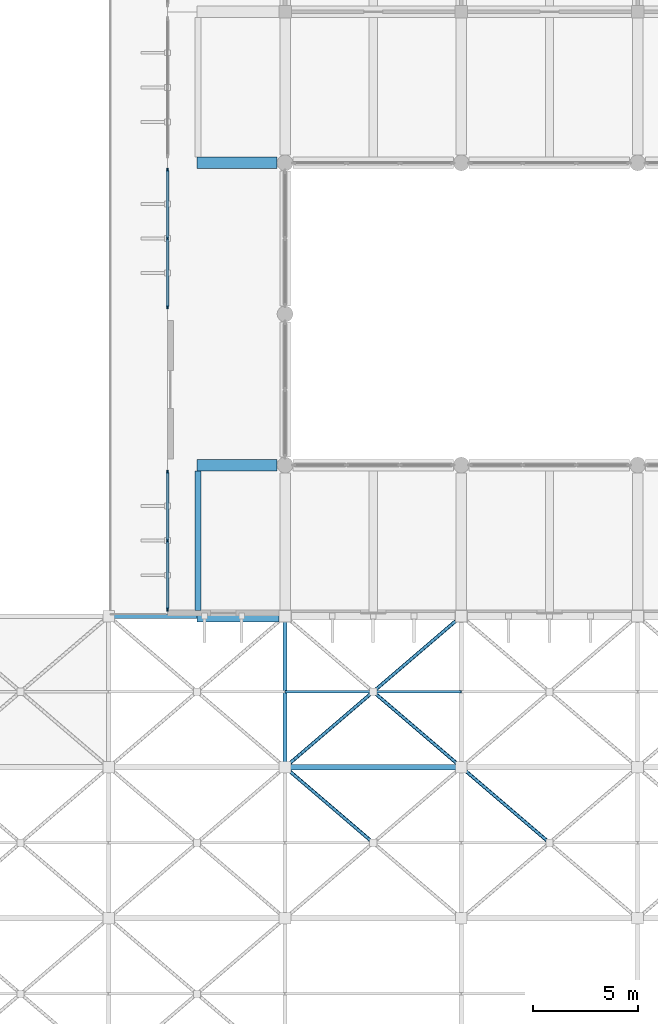
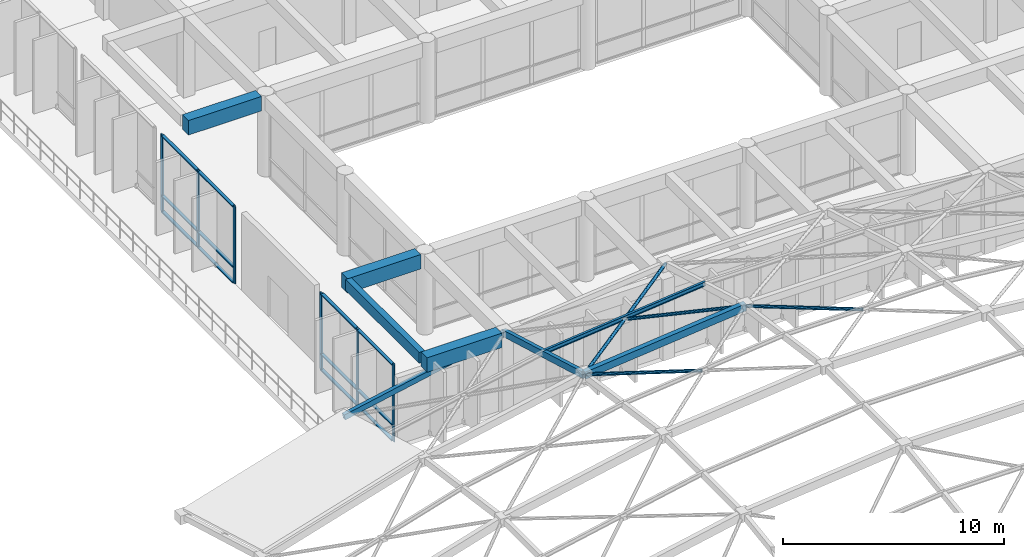
# One storey, part 4 of 23: 26 members, 4 beams, 2 elements without a shape of their own.
"""IFC4 building model written with IfcOpenShell, lengths in metres."""

from ifc_helpers import new_model, si_unit, direction, frame, origin, origin_2d, place, context, subcontext, project, spatial, rectangle, hollow_rectangle, hollow_circle, i_section, extrude, material, material_profile, profile_set, type_object, element, aggregate, save


model = new_model("IFC4")

# Units and contexts
model_context = context("Model", 3, precision=1e-05, world=origin(), true_north=direction((0.0, 1.0)))
body_context = subcontext(model_context, "Body", "Model", "MODEL_VIEW")
ifc_project = project(units=[si_unit("LENGTHUNIT", "METRE"), si_unit("AREAUNIT", "SQUARE_METRE"), si_unit("VOLUMEUNIT", "CUBIC_METRE"), si_unit("PLANEANGLEUNIT", "RADIAN"), si_unit("MASSUNIT", "GRAM", prefix="KILO")], contexts=[model_context])

# Site, building, storey
site_placement = place(None, origin())
site = spatial("IfcSite", under=ifc_project, at=site_placement, CompositionType="ELEMENT")
building_placement = place(site_placement, origin())
building = spatial("IfcBuilding", under=site, at=building_placement, Name="Kenerak Square Central Library", CompositionType="ELEMENT")
storey_placement = place(building_placement, frame((0.0, 0.0, 18.8798828125)))
storey = spatial("IfcBuildingStorey", under=building, at=storey_placement, Name="L04", CompositionType="ELEMENT", Elevation=18.8798828125)

# Beam
ifc_material_1 = material(Name="Concrete C40/50", Category="concrete")
ifc_material_profile_1 = material_profile(ifc_material_1, rectangle(XDim=0.300048828125, YDim=0.60009765625, at=origin_2d()), Name="RC 300x600")
ifc_profile_set_1 = profile_set([ifc_material_profile_1], Name="Concrete C40/50")
beam_type_1 = type_object("IfcBeamType", Name="Courtyard Spandrel Beam SP-02 RC 300x600 C40/50", PredefinedType="SPANDREL", material=ifc_profile_set_1)
beam_1_placement = place(storey_placement, frame((71.050048828125, 53.074951171875, 4.18017578125), z_axis=(0.0, 1.0, 0.0), x_axis=(-1.0, 0.0, 0.0)))
element("IfcBeam", 1, at=beam_1_placement, inside=storey, type_object=beam_type_1, Name="Terrace Edge Spandrel SP-02 L04 SBW-53", PredefinedType="SPANDREL", context=body_context, shape_type="SweptSolid", body=[
    extrude(rectangle(XDim=0.300048828125, YDim=0.60009765625, at=origin_2d()), origin(), (0.0, 0.0, 1.0), 6.650146484375),
])

# Curtain wall, members
ifc_material_2 = material(Name="Anodised aluminium and solar-control low-E glazing", Category="aluminium")
curtain_wall_type = type_object("IfcCurtainWallType", Name="Curtain Wall CW-V4-66x42 6600x4255", PredefinedType="USERDEFINED", material=ifc_material_2)
curtain_wall_1_placement = place(storey_placement, origin())
curtain_wall_1 = element("IfcCurtainWall", 2, at=curtain_wall_1_placement, inside=storey, type_object=curtain_wall_type, Name="Curtain Wall CW-V4-66x42 L04 0143", ObjectType="CURTAIN WALL", PredefinedType="USERDEFINED")
ifc_material_3 = material(Name="Anodised aluminium 6063-T6", Category="aluminium")
ifc_material_profile_2 = material_profile(ifc_material_3, rectangle(XDim=0.06494140625, YDim=0.179931640625, at=origin_2d()), Name="AL MULLION 65x180")
ifc_profile_set_2 = profile_set([ifc_material_profile_2], Name="Anodised aluminium 6063-T6")
member_type_1 = type_object("IfcMemberType", Name="Curtain Mullion CM-01 65x180", PredefinedType="MULLION", material=ifc_profile_set_2)
member_1_placement = place(storey_placement, frame((69.60009765625, 53.132568359375, 0.0), z_axis=(0.0, 0.0, 1.0), x_axis=(-1.0, 0.0, 0.0)))
member_1 = element("IfcMember", 3, at=member_1_placement, type_object=member_type_1, Name="CW-V4-66x42 Mullion 1", PredefinedType="MULLION", context=body_context, shape_type="SweptSolid", body=[
    extrude(rectangle(XDim=0.06494140625, YDim=0.179931640625, at=origin_2d()), origin(), (0.0, 0.0, 1.0), 4.255126953125),
])
member_2_placement = place(storey_placement, frame((69.60009765625, 56.39990234375, 0.0), z_axis=(0.0, 0.0, 1.0), x_axis=(-1.0, 0.0, 0.0)))
member_2 = element("IfcMember", 4, at=member_2_placement, type_object=member_type_1, Name="CW-V4-66x42 Mullion 2", PredefinedType="MULLION", context=body_context, shape_type="SweptSolid", body=[
    extrude(rectangle(XDim=0.06494140625, YDim=0.179931640625, at=origin_2d()), origin(), (0.0, 0.0, 1.0), 4.255126953125),
])
member_3_placement = place(storey_placement, frame((69.60009765625, 59.66748046875, 0.0), z_axis=(0.0, 0.0, 1.0), x_axis=(-1.0, 0.0, 0.0)))
member_3 = element("IfcMember", 5, at=member_3_placement, type_object=member_type_1, Name="CW-V4-66x42 Mullion 3", PredefinedType="MULLION", context=body_context, shape_type="SweptSolid", body=[
    extrude(rectangle(XDim=0.06494140625, YDim=0.179931640625, at=origin_2d()), origin(), (0.0, 0.0, 1.0), 4.255126953125),
])

curtain_wall_2_placement = place(storey_placement, origin())
curtain_wall_2 = element("IfcCurtainWall", 6, at=curtain_wall_2_placement, inside=storey, type_object=curtain_wall_type, Name="Curtain Wall CW-V4-66x42 L04 0144", ObjectType="CURTAIN WALL", PredefinedType="USERDEFINED")
member_4_placement = place(storey_placement, frame((69.60009765625, 67.532470703125, 0.0), z_axis=(0.0, 0.0, 1.0), x_axis=(-1.0, 0.0, 0.0)))
member_4 = element("IfcMember", 7, at=member_4_placement, type_object=member_type_1, Name="CW-V4-66x42 Mullion 1", PredefinedType="MULLION", context=body_context, shape_type="SweptSolid", body=[
    extrude(rectangle(XDim=0.06494140625, YDim=0.179931640625, at=origin_2d()), origin(), (0.0, 0.0, 1.0), 4.255126953125),
])
member_5_placement = place(storey_placement, frame((69.60009765625, 70.800048828125, 0.0), z_axis=(0.0, 0.0, 1.0), x_axis=(-1.0, 0.0, 0.0)))
member_5 = element("IfcMember", 8, at=member_5_placement, type_object=member_type_1, Name="CW-V4-66x42 Mullion 2", PredefinedType="MULLION", context=body_context, shape_type="SweptSolid", body=[
    extrude(rectangle(XDim=0.06494140625, YDim=0.179931640625, at=origin_2d()), origin(), (0.0, 0.0, 1.0), 4.255126953125),
])
member_6_placement = place(storey_placement, frame((69.60009765625, 74.0673828125, 0.0), z_axis=(0.0, 0.0, 1.0), x_axis=(-1.0, 0.0, 0.0)))
member_6 = element("IfcMember", 9, at=member_6_placement, type_object=member_type_1, Name="CW-V4-66x42 Mullion 3", PredefinedType="MULLION", context=body_context, shape_type="SweptSolid", body=[
    extrude(rectangle(XDim=0.06494140625, YDim=0.179931640625, at=origin_2d()), origin(), (0.0, 0.0, 1.0), 4.255126953125),
])

# Member
ifc_material_profile_3 = material_profile(ifc_material_3, rectangle(XDim=0.159912109375, YDim=0.06494140625, at=origin_2d()), Name="AL TRANSOM 160x65")
ifc_profile_set_3 = profile_set([ifc_material_profile_3], Name="Anodised aluminium 6063-T6")
member_type_2 = type_object("IfcMemberType", Name="Curtain Transom CT-11 160x65", PredefinedType="USERDEFINED", material=ifc_profile_set_3)
member_7_placement = place(storey_placement, frame((69.60009765625, 53.1650390625, 0.03271484375), z_axis=(0.0, 1.0, 0.0), x_axis=(-1.0, 0.0, 0.0)))
member_7 = element("IfcMember", 10, at=member_7_placement, type_object=member_type_2, Name="CW-V4-66x42 Transom 1.1", ObjectType="TRANSOM", PredefinedType="USERDEFINED", context=body_context, shape_type="SweptSolid", body=[
    extrude(rectangle(XDim=0.159912109375, YDim=0.06494140625, at=origin_2d()), origin(), (0.0, 0.0, 1.0), 3.202392578125),
])

member_8_placement = place(storey_placement, frame((69.60009765625, 53.1650390625, 0.900146484375), z_axis=(0.0, 1.0, 0.0), x_axis=(-1.0, 0.0, 0.0)))
member_8 = element("IfcMember", 11, at=member_8_placement, type_object=member_type_2, Name="CW-V4-66x42 Transom 1.2", ObjectType="TRANSOM", PredefinedType="USERDEFINED", context=body_context, shape_type="SweptSolid", body=[
    extrude(rectangle(XDim=0.159912109375, YDim=0.06494140625, at=origin_2d()), origin(), (0.0, 0.0, 1.0), 3.202392578125),
])

member_9_placement = place(storey_placement, frame((69.60009765625, 53.1650390625, 4.22265625), z_axis=(0.0, 1.0, 0.0), x_axis=(-1.0, 0.0, 0.0)))
member_9 = element("IfcMember", 12, at=member_9_placement, type_object=member_type_2, Name="CW-V4-66x42 Transom 1.3", ObjectType="TRANSOM", PredefinedType="USERDEFINED", context=body_context, shape_type="SweptSolid", body=[
    extrude(rectangle(XDim=0.159912109375, YDim=0.06494140625, at=origin_2d()), origin(), (0.0, 0.0, 1.0), 3.202392578125),
])

member_10_placement = place(storey_placement, frame((69.60009765625, 56.4326171875, 0.03271484375), z_axis=(0.0, 1.0, 0.0), x_axis=(-1.0, 0.0, 0.0)))
member_10 = element("IfcMember", 13, at=member_10_placement, type_object=member_type_2, Name="CW-V4-66x42 Transom 2.1", ObjectType="TRANSOM", PredefinedType="USERDEFINED", context=body_context, shape_type="SweptSolid", body=[
    extrude(rectangle(XDim=0.159912109375, YDim=0.06494140625, at=origin_2d()), origin(), (0.0, 0.0, 1.0), 3.202392578125),
])

member_11_placement = place(storey_placement, frame((69.60009765625, 56.4326171875, 0.900146484375), z_axis=(0.0, 1.0, 0.0), x_axis=(-1.0, 0.0, 0.0)))
member_11 = element("IfcMember", 14, at=member_11_placement, type_object=member_type_2, Name="CW-V4-66x42 Transom 2.2", ObjectType="TRANSOM", PredefinedType="USERDEFINED", context=body_context, shape_type="SweptSolid", body=[
    extrude(rectangle(XDim=0.159912109375, YDim=0.06494140625, at=origin_2d()), origin(), (0.0, 0.0, 1.0), 3.202392578125),
])

member_12_placement = place(storey_placement, frame((69.60009765625, 56.4326171875, 4.22265625), z_axis=(0.0, 1.0, 0.0), x_axis=(-1.0, 0.0, 0.0)))
member_12 = element("IfcMember", 15, at=member_12_placement, type_object=member_type_2, Name="CW-V4-66x42 Transom 2.3", ObjectType="TRANSOM", PredefinedType="USERDEFINED", context=body_context, shape_type="SweptSolid", body=[
    extrude(rectangle(XDim=0.159912109375, YDim=0.06494140625, at=origin_2d()), origin(), (0.0, 0.0, 1.0), 3.202392578125),
])

aggregate(curtain_wall_1, [member_1, member_2, member_3, member_7, member_8, member_9, member_10, member_11, member_12])

member_13_placement = place(storey_placement, frame((69.60009765625, 67.56494140625, 0.03271484375), z_axis=(0.0, 1.0, 0.0), x_axis=(-1.0, 0.0, 0.0)))
member_13 = element("IfcMember", 16, at=member_13_placement, type_object=member_type_2, Name="CW-V4-66x42 Transom 1.1", ObjectType="TRANSOM", PredefinedType="USERDEFINED", context=body_context, shape_type="SweptSolid", body=[
    extrude(rectangle(XDim=0.159912109375, YDim=0.06494140625, at=origin_2d()), origin(), (0.0, 0.0, 1.0), 3.20263671875),
])

member_14_placement = place(storey_placement, frame((69.60009765625, 67.56494140625, 0.900146484375), z_axis=(0.0, 1.0, 0.0), x_axis=(-1.0, 0.0, 0.0)))
member_14 = element("IfcMember", 17, at=member_14_placement, type_object=member_type_2, Name="CW-V4-66x42 Transom 1.2", ObjectType="TRANSOM", PredefinedType="USERDEFINED", context=body_context, shape_type="SweptSolid", body=[
    extrude(rectangle(XDim=0.159912109375, YDim=0.06494140625, at=origin_2d()), origin(), (0.0, 0.0, 1.0), 3.20263671875),
])

member_15_placement = place(storey_placement, frame((69.60009765625, 67.56494140625, 4.22265625), z_axis=(0.0, 1.0, 0.0), x_axis=(-1.0, 0.0, 0.0)))
member_15 = element("IfcMember", 18, at=member_15_placement, type_object=member_type_2, Name="CW-V4-66x42 Transom 1.3", ObjectType="TRANSOM", PredefinedType="USERDEFINED", context=body_context, shape_type="SweptSolid", body=[
    extrude(rectangle(XDim=0.159912109375, YDim=0.06494140625, at=origin_2d()), origin(), (0.0, 0.0, 1.0), 3.20263671875),
])

member_16_placement = place(storey_placement, frame((69.60009765625, 70.83251953125, 0.03271484375), z_axis=(0.0, 1.0, 0.0), x_axis=(-1.0, 0.0, 0.0)))
member_16 = element("IfcMember", 19, at=member_16_placement, type_object=member_type_2, Name="CW-V4-66x42 Transom 2.1", ObjectType="TRANSOM", PredefinedType="USERDEFINED", context=body_context, shape_type="SweptSolid", body=[
    extrude(rectangle(XDim=0.159912109375, YDim=0.06494140625, at=origin_2d()), origin(), (0.0, 0.0, 1.0), 3.202392578125),
])

member_17_placement = place(storey_placement, frame((69.60009765625, 70.83251953125, 0.900146484375), z_axis=(0.0, 1.0, 0.0), x_axis=(-1.0, 0.0, 0.0)))
member_17 = element("IfcMember", 20, at=member_17_placement, type_object=member_type_2, Name="CW-V4-66x42 Transom 2.2", ObjectType="TRANSOM", PredefinedType="USERDEFINED", context=body_context, shape_type="SweptSolid", body=[
    extrude(rectangle(XDim=0.159912109375, YDim=0.06494140625, at=origin_2d()), origin(), (0.0, 0.0, 1.0), 3.202392578125),
])

member_18_placement = place(storey_placement, frame((69.60009765625, 70.83251953125, 4.22265625), z_axis=(0.0, 1.0, 0.0), x_axis=(-1.0, 0.0, 0.0)))
member_18 = element("IfcMember", 21, at=member_18_placement, type_object=member_type_2, Name="CW-V4-66x42 Transom 2.3", ObjectType="TRANSOM", PredefinedType="USERDEFINED", context=body_context, shape_type="SweptSolid", body=[
    extrude(rectangle(XDim=0.159912109375, YDim=0.06494140625, at=origin_2d()), origin(), (0.0, 0.0, 1.0), 3.202392578125),
])

aggregate(curtain_wall_2, [member_4, member_5, member_6, member_13, member_14, member_15, member_16, member_17, member_18])

# Members
ifc_material_4 = material(Name="Steel S355", Category="steel")
ifc_material_profile_4 = material_profile(ifc_material_4, hollow_rectangle(XDim=0.25, YDim=0.39990234375, WallThickness=0.012451171875, at=origin_2d()), Name="RHS 400x250x12.5")
ifc_profile_set_4 = profile_set([ifc_material_profile_4], Name="Steel S355")
member_type_3 = type_object("IfcMemberType", Name="Gridshell Arch Rib GM-02 RHS 400x250x12.5 S355", PredefinedType="CHORD", material=ifc_profile_set_4)
member_19_placement = place(storey_placement, frame((75.199951171875, 45.60009765625, 6.29296875), z_axis=(0.994929826536, 0.0, 0.100571567899), x_axis=(0.0, 1.0, 0.0)))
element("IfcMember", 22, at=member_19_placement, inside=storey, type_object=member_type_3, Name="Gridshell Arch Chord 0031", PredefinedType="CHORD", context=body_context, shape_type="SweptSolid", body=[
    extrude(hollow_rectangle(XDim=0.25, YDim=0.39990234375, WallThickness=0.012451171875, at=origin_2d()), origin(), (0.0, 0.0, 1.0), 8.44287109375),
])
ifc_material_profile_5 = material_profile(ifc_material_4, hollow_rectangle(XDim=0.199951171875, YDim=0.35009765625, WallThickness=0.012451171875, at=origin_2d()), Name="RHS 350x200x12.5")
ifc_profile_set_5 = profile_set([ifc_material_profile_5], Name="Steel S355")
member_type_4 = type_object("IfcMemberType", Name="Gridshell Cross Rib GM-03 RHS 350x200x12.5 S355", PredefinedType="RAFTER", material=ifc_profile_set_5)
member_20_placement = place(storey_placement, frame((75.199951171875, 45.60009765625, 6.29296875), z_axis=(0.0, 0.96185064623, -0.273575098185), x_axis=(-1.0, 0.0, 0.0)))
element("IfcMember", 23, at=member_20_placement, inside=storey, type_object=member_type_4, Name="Gridshell Cross Rib 0057", PredefinedType="RAFTER", context=body_context, shape_type="SweptSolid", body=[
    extrude(hollow_rectangle(XDim=0.199951171875, YDim=0.35009765625, WallThickness=0.012451171875, at=origin_2d()), origin(), (0.0, 0.0, 1.0), 7.485595703125),
])
ifc_material_profile_6 = material_profile(ifc_material_4, hollow_rectangle(XDim=0.199951171875, YDim=0.300048828125, WallThickness=0.010009765625, at=origin_2d()), Name="RHS 300x200x10.0")
ifc_profile_set_6 = profile_set([ifc_material_profile_6], Name="Steel S355")
member_type_5 = type_object("IfcMemberType", Name="Gridshell Edge Rib GM-04 RHS 300x200x10 S355", PredefinedType="RAFTER", material=ifc_profile_set_6)
member_21_placement = place(storey_placement, frame((66.800048828125, 52.800048828125, 2.547119140625), z_axis=(0.980174274695, 0.0, 0.198137303973), x_axis=(0.0, 1.0, 0.0)))
element("IfcMember", 24, at=member_21_placement, inside=storey, type_object=member_type_5, Name="Gridshell Arch Chord 0037", PredefinedType="RAFTER", context=body_context, shape_type="SweptSolid", body=[
    extrude(hollow_rectangle(XDim=0.199951171875, YDim=0.300048828125, WallThickness=0.010009765625, at=origin_2d()), origin(), (0.0, 0.0, 1.0), 8.56982421875),
])
ifc_material_profile_7 = material_profile(ifc_material_4, hollow_circle(Radius=0.084228515625, WallThickness=0.008056640625, at=origin_2d()), Name="CHS 168.3x8.0")
ifc_profile_set_7 = profile_set([ifc_material_profile_7], Name="Steel S355")
member_type_6 = type_object("IfcMemberType", Name="Gridshell Nodal Brace GB-11 CHS 168.3x8 S355", PredefinedType="BRACE", material=ifc_profile_set_7)
member_22_placement = place(storey_placement, frame((79.328857421875, 42.06103515625, 7.213623046875), z_axis=(-0.748604296443, 0.641660825522, -0.166922114586), x_axis=(-0.650791373456, -0.759256602365, 0.0)))
element("IfcMember", 25, at=member_22_placement, inside=storey, type_object=member_type_6, Name="Gridshell Split Brace Seg 2 0134", PredefinedType="BRACE", context=body_context, shape_type="SweptSolid", body=[
    extrude(hollow_circle(Radius=0.084228515625, WallThickness=0.008056640625, at=origin_2d()), origin(), (0.0, 0.0, 1.0), 5.515380859375),
])
member_23_placement = place(storey_placement, frame((75.199951171875, 45.60009765625, 6.29296875), z_axis=(0.754844715217, 0.646994085403, -0.107740936334), x_axis=(-0.650782286936, 0.759264390716, 0.0)))
element("IfcMember", 26, at=member_23_placement, inside=storey, type_object=member_type_6, Name="Gridshell Diagonal Brace 0136", PredefinedType="BRACE", context=body_context, shape_type="SweptSolid", body=[
    extrude(hollow_circle(Radius=0.084228515625, WallThickness=0.008056640625, at=origin_2d()), origin(), (0.0, 0.0, 1.0), 11.12841796875),
])
member_24_placement = place(storey_placement, frame((83.60009765625, 45.60009765625, 7.14208984375), z_axis=(-0.734513526973, 0.629533404723, -0.25333292528), x_axis=(-0.65076180488, -0.75928194586, 0.0)))
element("IfcMember", 27, at=member_24_placement, inside=storey, type_object=member_type_6, Name="Gridshell Split Brace Seg 1 0137", PredefinedType="BRACE", context=body_context, shape_type="SweptSolid", body=[
    extrude(hollow_circle(Radius=0.084228515625, WallThickness=0.008056640625, at=origin_2d()), origin(), (0.0, 0.0, 1.0), 5.623291015625),
])
member_25_placement = place(storey_placement, frame((87.728271484375, 42.0615234375, 7.645263671875), z_axis=(-0.756013530096, 0.648037146207, -0.092148789729), x_axis=(-0.650806164502, -0.759243924076, 0.0)))
element("IfcMember", 28, at=member_25_placement, inside=storey, type_object=member_type_6, Name="Gridshell Split Brace Seg 2 0151", PredefinedType="BRACE", context=body_context, shape_type="SweptSolid", body=[
    extrude(hollow_circle(Radius=0.084228515625, WallThickness=0.008056640625, at=origin_2d()), origin(), (0.0, 0.0, 1.0), 5.46044921875),
])

# Beams
ifc_material_profile_8 = material_profile(ifc_material_1, rectangle(XDim=0.550048828125, YDim=0.800048828125, at=origin_2d()), Name="RC 550x800")
ifc_profile_set_8 = profile_set([ifc_material_profile_8], Name="Concrete C40/50")
beam_type_2 = type_object("IfcBeamType", Name="Primary Reading Beam B-04 RC 550x800 C40/50", PredefinedType="BEAM", material=ifc_profile_set_8)
beam_2_placement = place(storey_placement, frame((71.0, 52.800048828125, 4.080078125), z_axis=(1.0, 0.0, 0.0), x_axis=(0.0, 1.0, 0.0)))
element("IfcBeam", 29, at=beam_2_placement, inside=storey, type_object=beam_type_2, Name="Terrace Cantilever Bracket B-04 L04 SBW-H", PredefinedType="BEAM", context=body_context, shape_type="SweptSolid", body=[
    extrude(rectangle(XDim=0.550048828125, YDim=0.800048828125, at=origin_2d()), origin(), (0.0, 0.0, 1.0), 3.89990234375),
])
for number, where, z_axis, x_axis, name in (
    (30, (71.0, 60.0, 4.080078125), (1.0, 0.0, 0.0), (0.0, 1.0, 0.0), "Terrace Cantilever Bracket B-04 L04 SBW-J"),
    (31, (71.0, 74.39990234375, 4.080078125), (1.0, 0.0, 0.0), (0.0, 1.0, 0.0), "Terrace Cantilever Bracket B-04 L04 SBW-L"),
):
    element("IfcBeam", number, at=place(storey_placement, frame(where, z_axis=z_axis, x_axis=x_axis)), inside=storey, type_object=beam_type_2, Name=name, PredefinedType="BEAM", context=body_context, shape_type="SweptSolid", body=[
        extrude(rectangle(XDim=0.550048828125, YDim=0.800048828125, at=origin_2d()), origin(), (0.0, 0.0, 1.0), 3.824951171875),
    ])

# Member
ifc_material_profile_9 = material_profile(ifc_material_4, i_section(OverallWidth=0.1201171875, OverallDepth=0.239990234375, WebThickness=0.006103515625, FlangeThickness=0.009765625, FilletRadius=0.014892578125, at=origin_2d()), Name="IPE 240")
ifc_profile_set_9 = profile_set([ifc_material_profile_9], Name="Steel S355")
member_type_7 = type_object("IfcMemberType", Name="Roof Steel Purlin PR-01 IPE 240 S355", PredefinedType="PURLIN", material=ifc_profile_set_9)
member_26_placement = place(storey_placement, frame((75.199951171875, 49.199951171875, 5.364013671875), z_axis=(0.994932719565, 0.0, 0.100542943759), x_axis=(0.0, 1.0, 0.0)))
element("IfcMember", 32, at=member_26_placement, inside=storey, type_object=member_type_7, Name="Gridshell Purlin PR-01 0139", PredefinedType="PURLIN", context=body_context, shape_type="SweptSolid", body=[
    extrude(i_section(OverallWidth=0.1201171875, OverallDepth=0.239990234375, WebThickness=0.006103515625, FlangeThickness=0.009765625, FilletRadius=0.014892578125, at=origin_2d()), origin(), (0.0, 0.0, 1.0), 8.44287109375),
])

save(model, "model.ifc")
